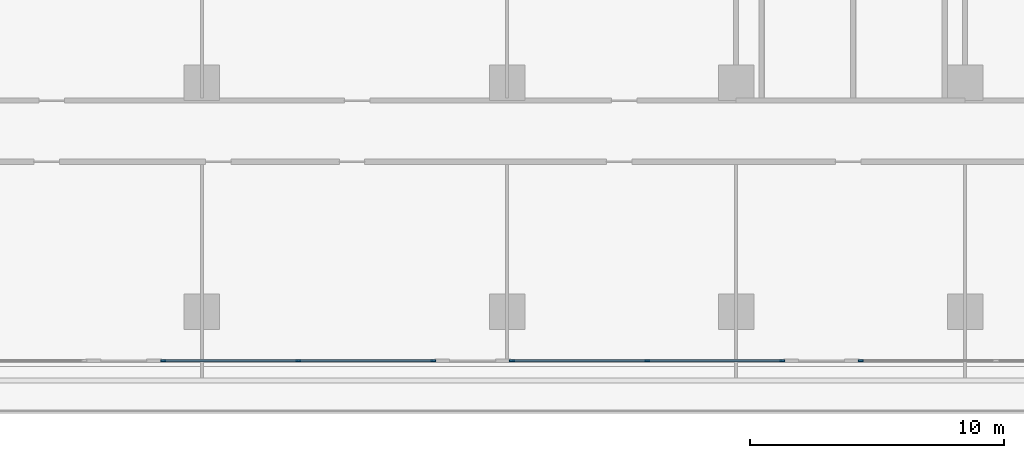
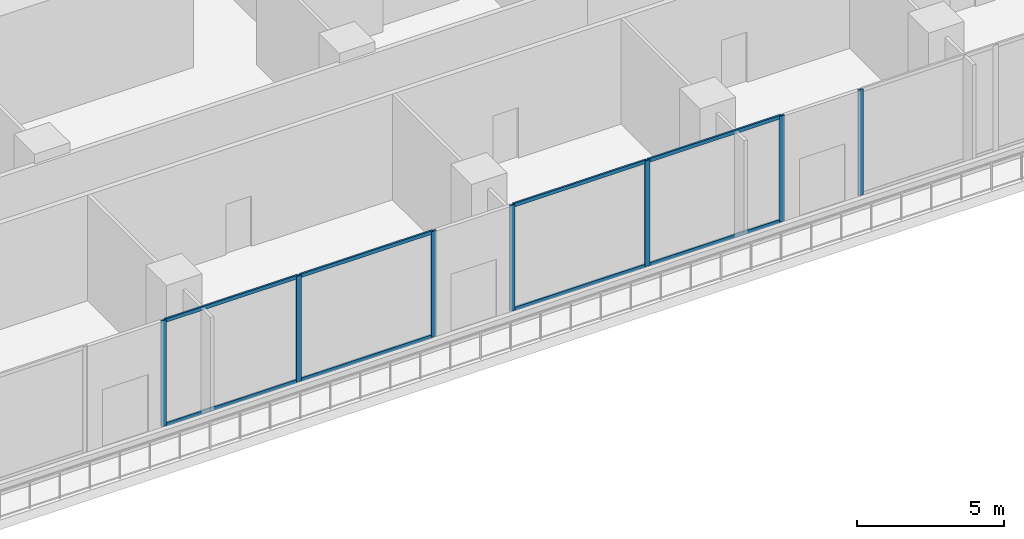
# One storey, part 4 of 31: 15 members, 3 elements without a shape of their own.
"""IFC4 building model written with IfcOpenShell, lengths in metres."""

from ifc_helpers import new_model, si_unit, direction, frame, origin, origin_2d, place, context, subcontext, project, spatial, rectangle, extrude, material, layer, layer_set, material_profile, profile_set, type_object, element, aggregate, save


model = new_model("IFC4")

# Units and contexts
model_context = context("Model", 3, precision=1e-05, world=origin(), true_north=direction((0.0, 1.0)))
body_context = subcontext(model_context, "Body", "Model", "MODEL_VIEW")
ifc_project = project(units=[si_unit("LENGTHUNIT", "METRE"), si_unit("AREAUNIT", "SQUARE_METRE"), si_unit("VOLUMEUNIT", "CUBIC_METRE"), si_unit("PLANEANGLEUNIT", "RADIAN"), si_unit("MASSUNIT", "GRAM", prefix="KILO")], contexts=[model_context])

# Site, building, storey
site_placement = place(None, origin())
site = spatial("IfcSite", under=ifc_project, at=site_placement, CompositionType="ELEMENT")
building_placement = place(site_placement, origin())
building = spatial("IfcBuilding", under=site, at=building_placement, Name="Chenar Terraces", CompositionType="ELEMENT")
storey_placement = place(building_placement, frame((0.0, 0.0, 12.0)))
storey = spatial("IfcBuildingStorey", under=building, at=storey_placement, Name="L02", CompositionType="ELEMENT", Elevation=12.0)

# Curtain wall, members
ifc_material_1 = material(Name="Aluminium framed glazing", Category="aluminium")
ifc_layer = layer(ifc_material_1, 0.14990234375)
ifc_layer_set = layer_set([ifc_layer], Name="Aluminium framed glazing")
curtain_wall_type = type_object("IfcCurtainWallType", Name="School curtain wall", PredefinedType="NOTDEFINED", material=ifc_layer_set)
placement = place(storey_placement, origin())
curtain_wall_1 = element("IfcCurtainWall", 1, at=placement, inside=storey, type_object=curtain_wall_type, Name="School curtain wall", PredefinedType="NOTDEFINED")
ifc_material_2 = material(Name="Aluminium", Category="aluminium")
ifc_material_profile_1 = material_profile(ifc_material_2, rectangle(XDim=0.070068359375, YDim=0.199951171875, at=origin_2d()), Name="School glazing mullion 70 x 200")
ifc_profile_set_1 = profile_set([ifc_material_profile_1], Name="Aluminium")
member_type_1 = type_object("IfcMemberType", Name="School glazing mullion 70 x 200", PredefinedType="MULLION", material=ifc_profile_set_1)
member_1_placement = place(storey_placement, frame((22.4765625, -10.925048828125, 0.0), z_axis=(0.0, 0.0, 1.0), x_axis=(0.0, 1.0, 0.0)))
member_1 = element("IfcMember", 2, at=member_1_placement, type_object=member_type_1, Name="CW2-07c1 mullion 1", PredefinedType="MULLION", context=body_context, shape_type="SweptSolid", body=[
    extrude(rectangle(XDim=0.070068359375, YDim=0.199951171875, at=origin_2d()), origin(), (0.0, 0.0, 1.0), 4.39990234375),
])
member_2_placement = place(storey_placement, frame((27.785888671875, -10.925048828125, 0.0), z_axis=(0.0, 0.0, 1.0), x_axis=(0.0, 1.0, 0.0)))
member_2 = element("IfcMember", 3, at=member_2_placement, type_object=member_type_1, Name="CW2-07c1 mullion 2", PredefinedType="MULLION", context=body_context, shape_type="SweptSolid", body=[
    extrude(rectangle(XDim=0.070068359375, YDim=0.199951171875, at=origin_2d()), origin(), (0.0, 0.0, 1.0), 4.39990234375),
])
member_3_placement = place(storey_placement, frame((33.095458984375, -10.925048828125, 0.0), z_axis=(0.0, 0.0, 1.0), x_axis=(0.0, 1.0, 0.0)))
member_3 = element("IfcMember", 4, at=member_3_placement, type_object=member_type_1, Name="CW2-07c1 mullion 3", PredefinedType="MULLION", context=body_context, shape_type="SweptSolid", body=[
    extrude(rectangle(XDim=0.070068359375, YDim=0.199951171875, at=origin_2d()), origin(), (0.0, 0.0, 1.0), 4.39990234375),
])

curtain_wall_2 = element("IfcCurtainWall", 5, at=placement, inside=storey, type_object=curtain_wall_type, Name="School curtain wall", PredefinedType="NOTDEFINED")
member_4_placement = place(storey_placement, frame((36.1904296875, -10.925048828125, 0.0), z_axis=(0.0, 0.0, 1.0), x_axis=(0.0, 1.0, 0.0)))
member_4 = element("IfcMember", 6, at=member_4_placement, type_object=member_type_1, Name="CW2-07c2 mullion 1", PredefinedType="MULLION", context=body_context, shape_type="SweptSolid", body=[
    extrude(rectangle(XDim=0.070068359375, YDim=0.199951171875, at=origin_2d()), origin(), (0.0, 0.0, 1.0), 4.39990234375),
])
member_5_placement = place(storey_placement, frame((41.5, -10.925048828125, 0.0), z_axis=(0.0, 0.0, 1.0), x_axis=(0.0, 1.0, 0.0)))
member_5 = element("IfcMember", 7, at=member_5_placement, type_object=member_type_1, Name="CW2-07c2 mullion 2", PredefinedType="MULLION", context=body_context, shape_type="SweptSolid", body=[
    extrude(rectangle(XDim=0.070068359375, YDim=0.199951171875, at=origin_2d()), origin(), (0.0, 0.0, 1.0), 4.39990234375),
])
member_6_placement = place(storey_placement, frame((46.8095703125, -10.925048828125, 0.0), z_axis=(0.0, 0.0, 1.0), x_axis=(0.0, 1.0, 0.0)))
member_6 = element("IfcMember", 8, at=member_6_placement, type_object=member_type_1, Name="CW2-07c2 mullion 3", PredefinedType="MULLION", context=body_context, shape_type="SweptSolid", body=[
    extrude(rectangle(XDim=0.070068359375, YDim=0.199951171875, at=origin_2d()), origin(), (0.0, 0.0, 1.0), 4.39990234375),
])

# Curtain wall, member
curtain_wall_3 = element("IfcCurtainWall", 9, at=placement, inside=storey, type_object=curtain_wall_type, Name="School curtain wall", PredefinedType="NOTDEFINED")
member_7_placement = place(storey_placement, frame((49.904541015625, -10.925048828125, 0.0), z_axis=(0.0, 0.0, 1.0), x_axis=(0.0, 1.0, 0.0)))
member_7 = element("IfcMember", 10, at=member_7_placement, type_object=member_type_1, Name="CW2-07c3 mullion 1", PredefinedType="MULLION", context=body_context, shape_type="SweptSolid", body=[
    extrude(rectangle(XDim=0.070068359375, YDim=0.199951171875, at=origin_2d()), origin(), (0.0, 0.0, 1.0), 4.39990234375),
])
aggregate(curtain_wall_3, [member_7])

# Member
ifc_material_3 = material(Name="Aluminium", Category="aluminium")
ifc_material_profile_2 = material_profile(ifc_material_3, rectangle(XDim=0.070068359375, YDim=0.14990234375, at=origin_2d()), Name="School glazing transom 70 x 150")
ifc_profile_set_2 = profile_set([ifc_material_profile_2], Name="Aluminium")
member_type_2 = type_object("IfcMemberType", Name="School glazing transom 70 x 150", PredefinedType="USERDEFINED", material=ifc_profile_set_2)
member_8_placement = place(storey_placement, frame((22.511474609375, -10.925048828125, 0.034912109375), z_axis=(1.0, 0.0, 0.0), x_axis=(0.0, 1.0, 0.0)))
member_8 = element("IfcMember", 11, at=member_8_placement, type_object=member_type_2, Name="CW2-07c1 transom 1.1", ObjectType="TRANSOM", PredefinedType="USERDEFINED", context=body_context, shape_type="SweptSolid", body=[
    extrude(rectangle(XDim=0.070068359375, YDim=0.14990234375, at=origin_2d()), origin(), (0.0, 0.0, 1.0), 5.239501953125),
])

member_9_placement = place(storey_placement, frame((22.511474609375, -10.925048828125, 4.364990234375), z_axis=(1.0, 0.0, 0.0), x_axis=(0.0, 1.0, 0.0)))
member_9 = element("IfcMember", 12, at=member_9_placement, type_object=member_type_2, Name="CW2-07c1 transom 1.2", ObjectType="TRANSOM", PredefinedType="USERDEFINED", context=body_context, shape_type="SweptSolid", body=[
    extrude(rectangle(XDim=0.070068359375, YDim=0.14990234375, at=origin_2d()), origin(), (0.0, 0.0, 1.0), 5.239501953125),
])

member_10_placement = place(storey_placement, frame((27.821044921875, -10.925048828125, 0.034912109375), z_axis=(1.0, 0.0, 0.0), x_axis=(0.0, 1.0, 0.0)))
member_10 = element("IfcMember", 13, at=member_10_placement, type_object=member_type_2, Name="CW2-07c1 transom 2.1", ObjectType="TRANSOM", PredefinedType="USERDEFINED", context=body_context, shape_type="SweptSolid", body=[
    extrude(rectangle(XDim=0.070068359375, YDim=0.14990234375, at=origin_2d()), origin(), (0.0, 0.0, 1.0), 5.239501953125),
])

member_11_placement = place(storey_placement, frame((27.821044921875, -10.925048828125, 4.364990234375), z_axis=(1.0, 0.0, 0.0), x_axis=(0.0, 1.0, 0.0)))
member_11 = element("IfcMember", 14, at=member_11_placement, type_object=member_type_2, Name="CW2-07c1 transom 2.2", ObjectType="TRANSOM", PredefinedType="USERDEFINED", context=body_context, shape_type="SweptSolid", body=[
    extrude(rectangle(XDim=0.070068359375, YDim=0.14990234375, at=origin_2d()), origin(), (0.0, 0.0, 1.0), 5.239501953125),
])

aggregate(curtain_wall_1, [member_1, member_2, member_3, member_8, member_9, member_10, member_11])

member_12_placement = place(storey_placement, frame((36.2255859375, -10.925048828125, 0.034912109375), z_axis=(1.0, 0.0, 0.0), x_axis=(0.0, 1.0, 0.0)))
member_12 = element("IfcMember", 15, at=member_12_placement, type_object=member_type_2, Name="CW2-07c2 transom 1.1", ObjectType="TRANSOM", PredefinedType="USERDEFINED", context=body_context, shape_type="SweptSolid", body=[
    extrude(rectangle(XDim=0.070068359375, YDim=0.14990234375, at=origin_2d()), origin(), (0.0, 0.0, 1.0), 5.239501953125),
])

member_13_placement = place(storey_placement, frame((36.2255859375, -10.925048828125, 4.364990234375), z_axis=(1.0, 0.0, 0.0), x_axis=(0.0, 1.0, 0.0)))
member_13 = element("IfcMember", 16, at=member_13_placement, type_object=member_type_2, Name="CW2-07c2 transom 1.2", ObjectType="TRANSOM", PredefinedType="USERDEFINED", context=body_context, shape_type="SweptSolid", body=[
    extrude(rectangle(XDim=0.070068359375, YDim=0.14990234375, at=origin_2d()), origin(), (0.0, 0.0, 1.0), 5.239501953125),
])

member_14_placement = place(storey_placement, frame((41.534912109375, -10.925048828125, 0.034912109375), z_axis=(1.0, 0.0, 0.0), x_axis=(0.0, 1.0, 0.0)))
member_14 = element("IfcMember", 17, at=member_14_placement, type_object=member_type_2, Name="CW2-07c2 transom 2.1", ObjectType="TRANSOM", PredefinedType="USERDEFINED", context=body_context, shape_type="SweptSolid", body=[
    extrude(rectangle(XDim=0.070068359375, YDim=0.14990234375, at=origin_2d()), origin(), (0.0, 0.0, 1.0), 5.239501953125),
])

member_15_placement = place(storey_placement, frame((41.534912109375, -10.925048828125, 4.364990234375), z_axis=(1.0, 0.0, 0.0), x_axis=(0.0, 1.0, 0.0)))
member_15 = element("IfcMember", 18, at=member_15_placement, type_object=member_type_2, Name="CW2-07c2 transom 2.2", ObjectType="TRANSOM", PredefinedType="USERDEFINED", context=body_context, shape_type="SweptSolid", body=[
    extrude(rectangle(XDim=0.070068359375, YDim=0.14990234375, at=origin_2d()), origin(), (0.0, 0.0, 1.0), 5.239501953125),
])

aggregate(curtain_wall_2, [member_4, member_5, member_6, member_12, member_13, member_14, member_15])

save(model, "model.ifc")
